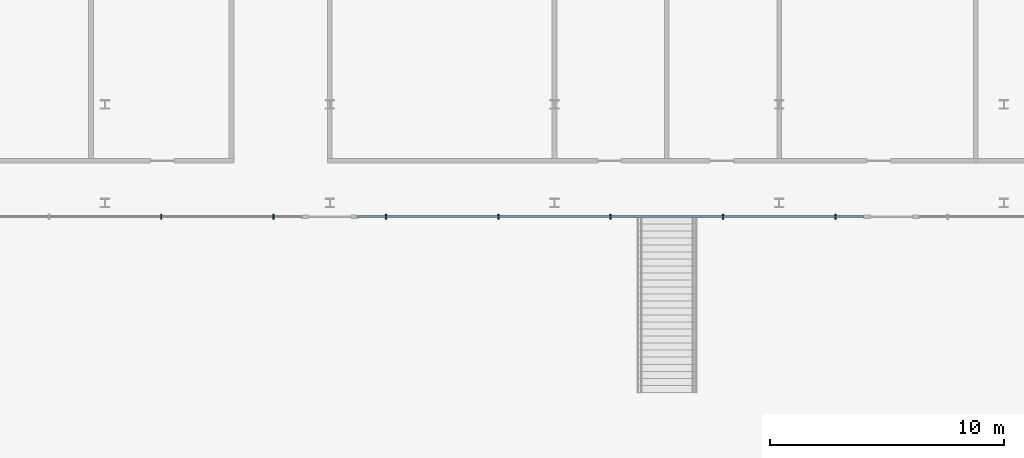
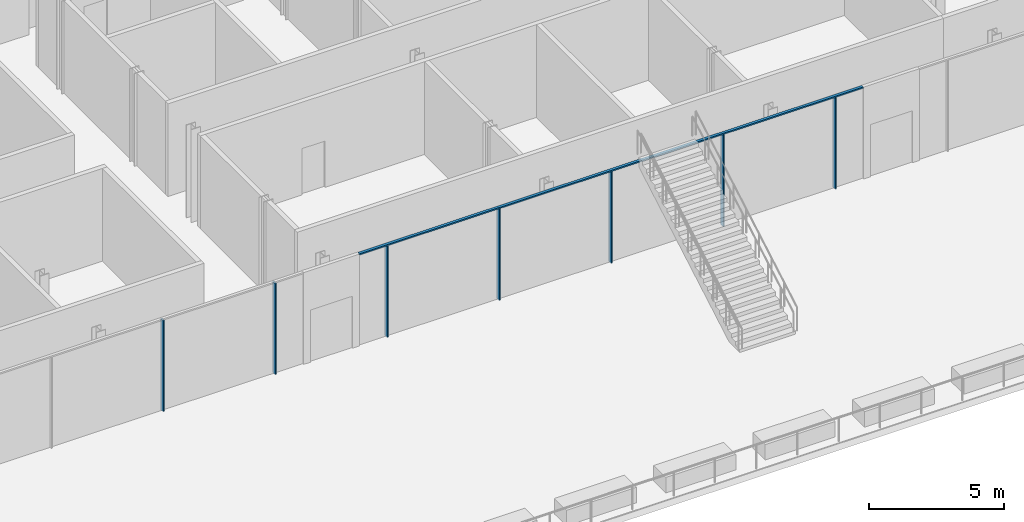
# One storey, part 9 of 43: 8 members, 1 element without a shape of its own.
"""IFC4 building model written with IfcOpenShell, lengths in metres."""

import ifcopenshell
import ifcopenshell.guid

model = None  # the IFC model being written
_history = None  # IfcOwnerHistory: only IFC2X3 demands one
_inside = {}  # id of a spatial element -> (the spatial element, [elements in it])
_under = {}  # id of a project, library or spatial element -> (it, [spatial elements below it])
_declared = {}  # id of a project -> (the project, [libraries it declares])
_typed = {}  # id of a type object -> (the type object, [elements of that type])
_made_of = {}  # id of a material, layer set ... -> (it, [elements and type objects made of it])


def new_model(schema):
    """Start an empty IFC model of exactly this schema.

    Asked for "IFC4X3", IfcOpenShell would pick the latest addendum, in which some entities
    have other attributes; the version numbers below select the first issue.
    IFC2X3 requires an IfcOwnerHistory on every rooted entity: one is made here for all.
    """
    global model, _history
    if schema == "IFC4X3":
        model = ifcopenshell.file(schema_version=(4, 3, 0, 0))
    else:
        model = ifcopenshell.file(schema=schema)
    _inside.clear()
    _under.clear()
    _declared.clear()
    _typed.clear()
    _made_of.clear()
    _history = None
    if model.schema == "IFC2X3":
        org = make("IfcOrganization", Name="unknown")
        user = make(
            "IfcPersonAndOrganization",
            ThePerson=make("IfcPerson", FamilyName="unknown"),
            TheOrganization=org,
        )
        app = make(
            "IfcApplication",
            ApplicationDeveloper=org,
            Version="unknown",
            ApplicationFullName="unknown",
            ApplicationIdentifier="unknown",
        )
        _history = make(
            "IfcOwnerHistory",
            OwningUser=user,
            OwningApplication=app,
            ChangeAction="ADDED",
            CreationDate=0,
        )
    return model


def make(cls, **values):
    """One entity of the class cls with the attributes given. An attribute that is None is left unset."""
    return model.create_entity(
        cls, **{name: value for name, value in values.items() if value is not None}
    )


def rooted(cls, **values):
    """An entity with a GlobalId (a new one), such as an element, a storey or a relation."""
    return make(cls, GlobalId=ifcopenshell.guid.new(), OwnerHistory=_history, **values)


def si_unit(unit_type, name, prefix=None):
    """IfcSIUnit, for example si_unit("LENGTHUNIT", "METRE", prefix="MILLI")."""
    return make("IfcSIUnit", UnitType=unit_type, Prefix=prefix, Name=name)


def assignment(units):
    """IfcUnitAssignment: the units of a project."""
    return None if units is None else make("IfcUnitAssignment", Units=units)


def point(xyz):
    """IfcCartesianPoint."""
    return None if xyz is None else make("IfcCartesianPoint", Coordinates=xyz)


def direction(xyz):
    """IfcDirection."""
    return None if xyz is None else make("IfcDirection", DirectionRatios=xyz)


def frame(location, z_axis=None, x_axis=None):
    """IfcAxis2Placement3D, a coordinate frame: its origin and axes. An axis left out is left unset."""
    return make(
        "IfcAxis2Placement3D",
        Location=point(location),
        Axis=direction(z_axis),
        RefDirection=direction(x_axis),
    )


def frame_2d(location, x_axis=None):
    """IfcAxis2Placement2D, a coordinate frame in the plane: its origin and x axis."""
    return make(
        "IfcAxis2Placement2D", Location=point(location), RefDirection=direction(x_axis)
    )


def origin():
    """The frame at (0, 0, 0) with its axes left unset."""
    return frame((0.0, 0.0, 0.0))


def origin_2d():
    """The frame at (0, 0) in the plane with its x axis left unset."""
    return frame_2d((0.0, 0.0))


def place(relative_to, where):
    """IfcLocalPlacement: puts the frame where relative to a parent placement (None: the world)."""
    return make(
        "IfcLocalPlacement", PlacementRelTo=relative_to, RelativePlacement=where
    )


def context(
    kind, dimensions, precision=None, world=None, true_north=None, identifier=None
):
    """IfcGeometricRepresentationContext, for example the 3D "Model" context."""
    return make(
        "IfcGeometricRepresentationContext",
        ContextIdentifier=identifier,
        ContextType=kind,
        CoordinateSpaceDimension=dimensions,
        Precision=precision,
        WorldCoordinateSystem=world,
        TrueNorth=true_north,
    )


def subcontext(parent, identifier, kind, view, scale=None):
    """IfcGeometricRepresentationSubContext, for example "Body" below "Model"."""
    return make(
        "IfcGeometricRepresentationSubContext",
        ContextIdentifier=identifier,
        ContextType=kind,
        ParentContext=parent,
        TargetScale=scale,
        TargetView=view,
    )


def project(units=None, contexts=None):
    """IfcProject with its units and contexts."""
    return rooted(
        "IfcProject",
        Name="project",
        RepresentationContexts=contexts,
        UnitsInContext=assignment(units),
    )


def spatial(cls, under=None, at=None, **own):
    """A site, building, storey or space (cls), placed at a placement, below another one or the project."""
    s = rooted(cls, ObjectPlacement=at, **own)
    if under is not None:
        _under.setdefault(under.id(), (under, []))[1].append(s)
    return s


def profile(cls, at=None, kind="AREA", **sizes):
    """A parametric profile (cls). Its sizes go by their IFC names, for example OverallWidth=200.0."""
    return make(cls, ProfileType=kind, Position=at, **sizes)


def rectangle(**sizes):
    """IfcRectangleProfileDef."""
    return profile("IfcRectangleProfileDef", **sizes)


def extrude(swept, where, along, depth):
    """IfcExtrudedAreaSolid: the profile swept, set in the frame where, extruded along a direction by depth."""
    return make(
        "IfcExtrudedAreaSolid",
        SweptArea=swept,
        Position=where,
        ExtrudedDirection=direction(along),
        Depth=depth,
    )


def shape(context_of_items, identifier, shape_type, items):
    """IfcShapeRepresentation: the items that make up one representation, for example the "Body"."""
    return make(
        "IfcShapeRepresentation",
        ContextOfItems=context_of_items,
        RepresentationIdentifier=identifier,
        RepresentationType=shape_type,
        Items=items,
    )


def material(Name=None, Category=None):
    """IfcMaterial."""
    return make("IfcMaterial", Name=Name, Category=Category)


def layer(
    of_material, thickness, ventilated=None, Name=None, Category=None, Priority=None
):
    """IfcMaterialLayer: one layer of a wall or slab, of a material (None: an air gap)."""
    return make(
        "IfcMaterialLayer",
        Material=of_material,
        LayerThickness=thickness,
        IsVentilated=ventilated,
        Name=Name,
        Category=Category,
        Priority=Priority,
    )


def layer_set(layers, Name=None):
    """IfcMaterialLayerSet."""
    return make("IfcMaterialLayerSet", MaterialLayers=layers, LayerSetName=Name)


def material_profile(
    of_material, cross_section, Name=None, Category=None, Priority=None
):
    """IfcMaterialProfile: a cross section and its material."""
    return make(
        "IfcMaterialProfile",
        Name=Name,
        Material=of_material,
        Profile=cross_section,
        Priority=Priority,
        Category=Category,
    )


def profile_set(profiles, Name=None, composite=None):
    """IfcMaterialProfileSet."""
    return make(
        "IfcMaterialProfileSet",
        Name=Name,
        MaterialProfiles=profiles,
        CompositeProfile=composite,
    )


def made_of(thing, what):
    """Note that an element or type object is made of a material, layer set ...; save() writes the relation."""
    if what is not None:
        _made_of.setdefault(what.id(), (what, []))[1].append(thing)
    return thing


def type_object(cls, material=None, **own):
    """A type object (cls), such as IfcWallType, which elements share."""
    return made_of(rooted(cls, **own), material)


def element(
    cls,
    number,
    at=None,
    inside=None,
    cuts=None,
    type_object=None,
    material=None,
    context=None,
    identifier="Body",
    shape_type=None,
    held_by="IfcProductDefinitionShape",
    body=None,
    shapes=None,
    **own,
):
    """One element of the class cls, such as IfcWall. Its Tag is "e" and its number.

    at: its placement. inside: the storey or other place that contains it. cuts: it is an
    opening in that element (IfcRelVoidsElement). A single representation is given by context,
    identifier, shape_type and body (its items); several are given by shapes. held_by: the class
    of the entity that holds the representations. save() writes the other relations.
    """
    e = rooted(cls, Tag="e%d" % number, ObjectPlacement=at, **own)
    if body is not None:
        shapes = [shape(context, identifier, shape_type, body)]
    if shapes is not None:
        e.Representation = make(held_by, Representations=shapes)
    if inside is not None:
        _inside.setdefault(inside.id(), (inside, []))[1].append(e)
    if cuts is not None:
        rooted(
            "IfcRelVoidsElement", RelatingBuildingElement=cuts, RelatedOpeningElement=e
        )
    if type_object is not None:
        _typed.setdefault(type_object.id(), (type_object, []))[1].append(e)
    return made_of(e, material)


def aggregate(whole, parts):
    """IfcRelAggregates: a whole, such as a stair, and the parts it consists of."""
    return rooted("IfcRelAggregates", RelatingObject=whole, RelatedObjects=parts)


def save(model, path):
    """Write the relations noted so far, then the file.

    IfcRelAggregates (storeys below a building ...), IfcRelContainedInSpatialStructure (elements
    in a storey), IfcRelDefinesByType, IfcRelAssociatesMaterial and IfcRelDeclares: one each for
    every whole, place, type object, material and project.
    """
    for whole, parts in _under.values():
        aggregate(whole, parts)
    for where, things in _inside.values():
        rooted(
            "IfcRelContainedInSpatialStructure",
            RelatedElements=things,
            RelatingStructure=where,
        )
    for kind, things in _typed.values():
        rooted("IfcRelDefinesByType", RelatedObjects=things, RelatingType=kind)
    for what, things in _made_of.values():
        rooted("IfcRelAssociatesMaterial", RelatedObjects=things, RelatingMaterial=what)
    for by, libraries in _declared.values():
        rooted("IfcRelDeclares", RelatingContext=by, RelatedDefinitions=libraries)
    model.write(path)


model = new_model("IFC4")

# Units and contexts
model_context = context("Model", 3, precision=1e-05, world=origin(), true_north=direction((0.0, 1.0)))
body_context = subcontext(model_context, "Body", "Model", "MODEL_VIEW")
ifc_project = project(units=[si_unit("LENGTHUNIT", "METRE"), si_unit("AREAUNIT", "SQUARE_METRE"), si_unit("VOLUMEUNIT", "CUBIC_METRE"), si_unit("PLANEANGLEUNIT", "RADIAN"), si_unit("MASSUNIT", "GRAM", prefix="KILO")], contexts=[model_context])

# Site, building, storey
site_placement = place(None, origin())
site = spatial("IfcSite", under=ifc_project, at=site_placement, CompositionType="ELEMENT")
building_placement = place(site_placement, origin())
building = spatial("IfcBuilding", under=site, at=building_placement, Name="Madar Terraces", CompositionType="ELEMENT")
storey_placement = place(building_placement, frame((0.0, 0.0, 10.5)))
storey = spatial("IfcBuildingStorey", under=building, at=storey_placement, Name="L02", CompositionType="ELEMENT", Elevation=10.5)

# Curtain wall, members
ifc_material_1 = material(Name="Glass, clear low-iron, with black aluminium frame", Category="aluminium")
ifc_layer = layer(ifc_material_1, 0.199951171875)
ifc_layer_set = layer_set([ifc_layer], Name="Facade curtain wall, shopfront glazing")
curtain_wall_type = type_object("IfcCurtainWallType", Name="Facade curtain wall, shopfront glazing", PredefinedType="NOTDEFINED", material=ifc_layer_set)
curtain_wall_placement = place(storey_placement, origin())
curtain_wall = element("IfcCurtainWall", 1, at=curtain_wall_placement, inside=storey, type_object=curtain_wall_type, Name="Outer skin curtain wall south bay 1", PredefinedType="NOTDEFINED")
ifc_material_2 = material(Name="Aluminium, black anodised", Category="aluminium")
ifc_material_profile_1 = material_profile(ifc_material_2, rectangle(XDim=0.199951171875, YDim=0.06005859375, at=origin_2d()), Name="Facade mullion 60x200")
ifc_profile_set_1 = profile_set([ifc_material_profile_1], Name="Aluminium, black anodised")
member_type_1 = type_object("IfcMemberType", Name="Facade mullion 60x200", PredefinedType="MULLION", material=ifc_profile_set_1)
member_1_placement = place(storey_placement, frame((26.39990234375, -24.0, 0.0), z_axis=(0.0, 0.0, 1.0), x_axis=(0.0, 1.0, 0.0)))
member_1 = element("IfcMember", 2, at=member_1_placement, type_object=member_type_1, Name="Mullion 6", PredefinedType="MULLION", context=body_context, shape_type="SweptSolid", body=[
    extrude(rectangle(XDim=0.199951171875, YDim=0.06005859375, at=origin_2d()), origin(), (0.0, 0.0, 1.0), 4.139892578125),
])
member_2_placement = place(storey_placement, frame((31.199951171875, -24.0, 0.0), z_axis=(0.0, 0.0, 1.0), x_axis=(0.0, 1.0, 0.0)))
member_2 = element("IfcMember", 3, at=member_2_placement, type_object=member_type_1, Name="Mullion 7", PredefinedType="MULLION", context=body_context, shape_type="SweptSolid", body=[
    extrude(rectangle(XDim=0.199951171875, YDim=0.06005859375, at=origin_2d()), origin(), (0.0, 0.0, 1.0), 4.139892578125),
])
member_3_placement = place(storey_placement, frame((36.0, -24.0, 0.0), z_axis=(0.0, 0.0, 1.0), x_axis=(0.0, 1.0, 0.0)))
member_3 = element("IfcMember", 4, at=member_3_placement, type_object=member_type_1, Name="Mullion 8", PredefinedType="MULLION", context=body_context, shape_type="SweptSolid", body=[
    extrude(rectangle(XDim=0.199951171875, YDim=0.06005859375, at=origin_2d()), origin(), (0.0, 0.0, 1.0), 4.139892578125),
])
member_4_placement = place(storey_placement, frame((40.800048828125, -24.0, 0.0), z_axis=(0.0, 0.0, 1.0), x_axis=(0.0, 1.0, 0.0)))
member_4 = element("IfcMember", 5, at=member_4_placement, type_object=member_type_1, Name="Mullion 9", PredefinedType="MULLION", context=body_context, shape_type="SweptSolid", body=[
    extrude(rectangle(XDim=0.199951171875, YDim=0.06005859375, at=origin_2d()), origin(), (0.0, 0.0, 1.0), 4.139892578125),
])
member_5_placement = place(storey_placement, frame((45.60009765625, -24.0, 0.0), z_axis=(0.0, 0.0, 1.0), x_axis=(0.0, 1.0, 0.0)))
member_5 = element("IfcMember", 6, at=member_5_placement, type_object=member_type_1, Name="Mullion 10", PredefinedType="MULLION", context=body_context, shape_type="SweptSolid", body=[
    extrude(rectangle(XDim=0.199951171875, YDim=0.06005859375, at=origin_2d()), origin(), (0.0, 0.0, 1.0), 4.139892578125),
])
member_6_placement = place(storey_placement, frame((50.39990234375, -24.0, 0.0), z_axis=(0.0, 0.0, 1.0), x_axis=(0.0, 1.0, 0.0)))
member_6 = element("IfcMember", 7, at=member_6_placement, type_object=member_type_1, Name="Mullion 11", PredefinedType="MULLION", context=body_context, shape_type="SweptSolid", body=[
    extrude(rectangle(XDim=0.199951171875, YDim=0.06005859375, at=origin_2d()), origin(), (0.0, 0.0, 1.0), 4.139892578125),
])
member_7_placement = place(storey_placement, frame((55.199951171875, -24.0, 0.0), z_axis=(0.0, 0.0, 1.0), x_axis=(0.0, 1.0, 0.0)))
member_7 = element("IfcMember", 8, at=member_7_placement, type_object=member_type_1, Name="Mullion 12", PredefinedType="MULLION", context=body_context, shape_type="SweptSolid", body=[
    extrude(rectangle(XDim=0.199951171875, YDim=0.06005859375, at=origin_2d()), origin(), (0.0, 0.0, 1.0), 4.139892578125),
])
ifc_material_3 = material(Name="Aluminium, black anodised", Category="aluminium")
ifc_material_profile_2 = material_profile(ifc_material_3, rectangle(XDim=0.1201171875, YDim=0.06005859375, at=origin_2d()), Name="Facade transom 60x120")
ifc_profile_set_2 = profile_set([ifc_material_profile_2], Name="Aluminium, black anodised")
member_type_2 = type_object("IfcMemberType", Name="Facade transom 60x120", PredefinedType="USERDEFINED", material=ifc_profile_set_2)
member_8_placement = place(storey_placement, frame((34.800048828125, -24.0, 4.169921875), z_axis=(1.0, 0.0, 0.0), x_axis=(0.0, 1.0, 0.0)))
member_8 = element("IfcMember", 9, at=member_8_placement, type_object=member_type_2, Name="Transom 3", ObjectType="TRANSOM", PredefinedType="USERDEFINED", context=body_context, shape_type="SweptSolid", body=[
    extrude(rectangle(XDim=0.1201171875, YDim=0.06005859375, at=origin_2d()), origin(), (0.0, 0.0, 1.0), 21.599853515625),
])
aggregate(curtain_wall, [member_1, member_2, member_3, member_4, member_5, member_6, member_7, member_8])

save(model, "model.ifc")
